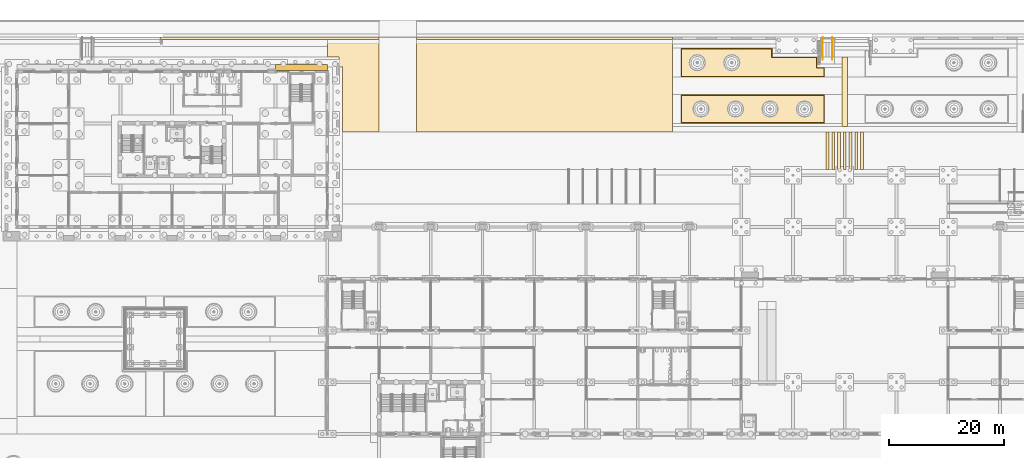
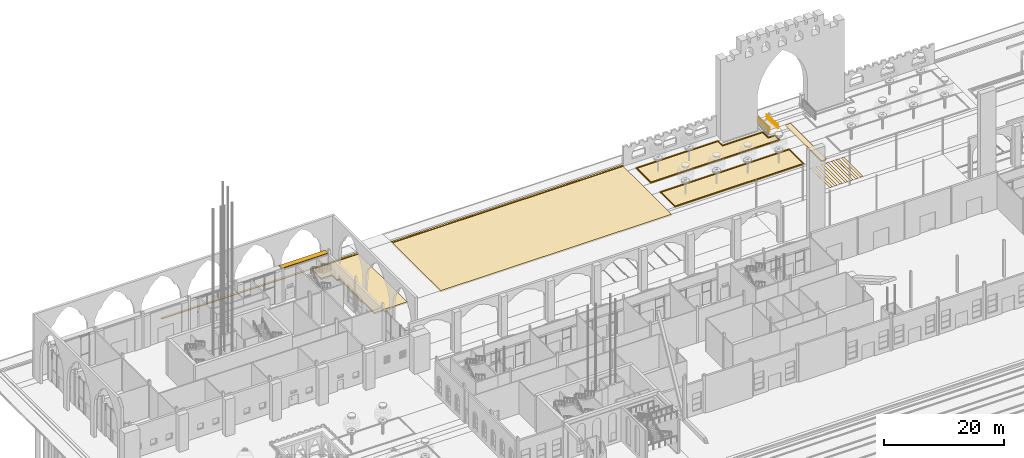
# One storey, part 222 of 250: 17 coverings, 2 railings, 1 shading device.
"""IFC4 building model written with IfcOpenShell, lengths in metres."""

import ifcopenshell
import ifcopenshell.guid

model = None  # the IFC model being written
_history = None  # IfcOwnerHistory: only IFC2X3 demands one
_inside = {}  # id of a spatial element -> (the spatial element, [elements in it])
_under = {}  # id of a project, library or spatial element -> (it, [spatial elements below it])
_declared = {}  # id of a project -> (the project, [libraries it declares])
_typed = {}  # id of a type object -> (the type object, [elements of that type])
_made_of = {}  # id of a material, layer set ... -> (it, [elements and type objects made of it])


def new_model(schema):
    """Start an empty IFC model of exactly this schema.

    Asked for "IFC4X3", IfcOpenShell would pick the latest addendum, in which some entities
    have other attributes; the version numbers below select the first issue.
    IFC2X3 requires an IfcOwnerHistory on every rooted entity: one is made here for all.
    """
    global model, _history
    if schema == "IFC4X3":
        model = ifcopenshell.file(schema_version=(4, 3, 0, 0))
    else:
        model = ifcopenshell.file(schema=schema)
    _inside.clear()
    _under.clear()
    _declared.clear()
    _typed.clear()
    _made_of.clear()
    _history = None
    if model.schema == "IFC2X3":
        org = make("IfcOrganization", Name="unknown")
        user = make(
            "IfcPersonAndOrganization",
            ThePerson=make("IfcPerson", FamilyName="unknown"),
            TheOrganization=org,
        )
        app = make(
            "IfcApplication",
            ApplicationDeveloper=org,
            Version="unknown",
            ApplicationFullName="unknown",
            ApplicationIdentifier="unknown",
        )
        _history = make(
            "IfcOwnerHistory",
            OwningUser=user,
            OwningApplication=app,
            ChangeAction="ADDED",
            CreationDate=0,
        )
    return model


def make(cls, **values):
    """One entity of the class cls with the attributes given. An attribute that is None is left unset."""
    return model.create_entity(
        cls, **{name: value for name, value in values.items() if value is not None}
    )


def rooted(cls, **values):
    """An entity with a GlobalId (a new one), such as an element, a storey or a relation."""
    return make(cls, GlobalId=ifcopenshell.guid.new(), OwnerHistory=_history, **values)


def si_unit(unit_type, name, prefix=None):
    """IfcSIUnit, for example si_unit("LENGTHUNIT", "METRE", prefix="MILLI")."""
    return make("IfcSIUnit", UnitType=unit_type, Prefix=prefix, Name=name)


def assignment(units):
    """IfcUnitAssignment: the units of a project."""
    return None if units is None else make("IfcUnitAssignment", Units=units)


def point(xyz):
    """IfcCartesianPoint."""
    return None if xyz is None else make("IfcCartesianPoint", Coordinates=xyz)


def direction(xyz):
    """IfcDirection."""
    return None if xyz is None else make("IfcDirection", DirectionRatios=xyz)


def frame(location, z_axis=None, x_axis=None):
    """IfcAxis2Placement3D, a coordinate frame: its origin and axes. An axis left out is left unset."""
    return make(
        "IfcAxis2Placement3D",
        Location=point(location),
        Axis=direction(z_axis),
        RefDirection=direction(x_axis),
    )


def frame_2d(location, x_axis=None):
    """IfcAxis2Placement2D, a coordinate frame in the plane: its origin and x axis."""
    return make(
        "IfcAxis2Placement2D", Location=point(location), RefDirection=direction(x_axis)
    )


def origin():
    """The frame at (0, 0, 0) with its axes left unset."""
    return frame((0.0, 0.0, 0.0))


def origin_2d():
    """The frame at (0, 0) in the plane with its x axis left unset."""
    return frame_2d((0.0, 0.0))


def place(relative_to, where):
    """IfcLocalPlacement: puts the frame where relative to a parent placement (None: the world)."""
    return make(
        "IfcLocalPlacement", PlacementRelTo=relative_to, RelativePlacement=where
    )


def context(
    kind, dimensions, precision=None, world=None, true_north=None, identifier=None
):
    """IfcGeometricRepresentationContext, for example the 3D "Model" context."""
    return make(
        "IfcGeometricRepresentationContext",
        ContextIdentifier=identifier,
        ContextType=kind,
        CoordinateSpaceDimension=dimensions,
        Precision=precision,
        WorldCoordinateSystem=world,
        TrueNorth=true_north,
    )


def subcontext(parent, identifier, kind, view, scale=None):
    """IfcGeometricRepresentationSubContext, for example "Body" below "Model"."""
    return make(
        "IfcGeometricRepresentationSubContext",
        ContextIdentifier=identifier,
        ContextType=kind,
        ParentContext=parent,
        TargetScale=scale,
        TargetView=view,
    )


def project(units=None, contexts=None):
    """IfcProject with its units and contexts."""
    return rooted(
        "IfcProject",
        Name="project",
        RepresentationContexts=contexts,
        UnitsInContext=assignment(units),
    )


def spatial(cls, under=None, at=None, **own):
    """A site, building, storey or space (cls), placed at a placement, below another one or the project."""
    s = rooted(cls, ObjectPlacement=at, **own)
    if under is not None:
        _under.setdefault(under.id(), (under, []))[1].append(s)
    return s


def polyline(points):
    """IfcPolyline through the points."""
    return make("IfcPolyline", Points=[point(p) for p in points])


def profile(cls, at=None, kind="AREA", **sizes):
    """A parametric profile (cls). Its sizes go by their IFC names, for example OverallWidth=200.0."""
    return make(cls, ProfileType=kind, Position=at, **sizes)


def rectangle(**sizes):
    """IfcRectangleProfileDef."""
    return profile("IfcRectangleProfileDef", **sizes)


def circle(**sizes):
    """IfcCircleProfileDef."""
    return profile("IfcCircleProfileDef", **sizes)


def outline(outer, holes=None, kind="AREA"):
    """IfcArbitraryClosedProfileDef: a profile drawn as a closed curve; with holes, ...WithVoids."""
    if holes is None:
        return make("IfcArbitraryClosedProfileDef", ProfileType=kind, OuterCurve=outer)
    return make(
        "IfcArbitraryProfileDefWithVoids",
        ProfileType=kind,
        OuterCurve=outer,
        InnerCurves=holes,
    )


def extrude(swept, where, along, depth):
    """IfcExtrudedAreaSolid: the profile swept, set in the frame where, extruded along a direction by depth."""
    return make(
        "IfcExtrudedAreaSolid",
        SweptArea=swept,
        Position=where,
        ExtrudedDirection=direction(along),
        Depth=depth,
    )


def shape(context_of_items, identifier, shape_type, items):
    """IfcShapeRepresentation: the items that make up one representation, for example the "Body"."""
    return make(
        "IfcShapeRepresentation",
        ContextOfItems=context_of_items,
        RepresentationIdentifier=identifier,
        RepresentationType=shape_type,
        Items=items,
    )


def material(Name=None, Category=None):
    """IfcMaterial."""
    return make("IfcMaterial", Name=Name, Category=Category)


def layer(
    of_material, thickness, ventilated=None, Name=None, Category=None, Priority=None
):
    """IfcMaterialLayer: one layer of a wall or slab, of a material (None: an air gap)."""
    return make(
        "IfcMaterialLayer",
        Material=of_material,
        LayerThickness=thickness,
        IsVentilated=ventilated,
        Name=Name,
        Category=Category,
        Priority=Priority,
    )


def layer_set(layers, Name=None):
    """IfcMaterialLayerSet."""
    return make("IfcMaterialLayerSet", MaterialLayers=layers, LayerSetName=Name)


def made_of(thing, what):
    """Note that an element or type object is made of a material, layer set ...; save() writes the relation."""
    if what is not None:
        _made_of.setdefault(what.id(), (what, []))[1].append(thing)
    return thing


def type_object(cls, material=None, **own):
    """A type object (cls), such as IfcWallType, which elements share."""
    return made_of(rooted(cls, **own), material)


def element(
    cls,
    number,
    at=None,
    inside=None,
    cuts=None,
    type_object=None,
    material=None,
    context=None,
    identifier="Body",
    shape_type=None,
    held_by="IfcProductDefinitionShape",
    body=None,
    shapes=None,
    **own,
):
    """One element of the class cls, such as IfcWall. Its Tag is "e" and its number.

    at: its placement. inside: the storey or other place that contains it. cuts: it is an
    opening in that element (IfcRelVoidsElement). A single representation is given by context,
    identifier, shape_type and body (its items); several are given by shapes. held_by: the class
    of the entity that holds the representations. save() writes the other relations.
    """
    e = rooted(cls, Tag="e%d" % number, ObjectPlacement=at, **own)
    if body is not None:
        shapes = [shape(context, identifier, shape_type, body)]
    if shapes is not None:
        e.Representation = make(held_by, Representations=shapes)
    if inside is not None:
        _inside.setdefault(inside.id(), (inside, []))[1].append(e)
    if cuts is not None:
        rooted(
            "IfcRelVoidsElement", RelatingBuildingElement=cuts, RelatedOpeningElement=e
        )
    if type_object is not None:
        _typed.setdefault(type_object.id(), (type_object, []))[1].append(e)
    return made_of(e, material)


def aggregate(whole, parts):
    """IfcRelAggregates: a whole, such as a stair, and the parts it consists of."""
    return rooted("IfcRelAggregates", RelatingObject=whole, RelatedObjects=parts)


def save(model, path):
    """Write the relations noted so far, then the file.

    IfcRelAggregates (storeys below a building ...), IfcRelContainedInSpatialStructure (elements
    in a storey), IfcRelDefinesByType, IfcRelAssociatesMaterial and IfcRelDeclares: one each for
    every whole, place, type object, material and project.
    """
    for whole, parts in _under.values():
        aggregate(whole, parts)
    for where, things in _inside.values():
        rooted(
            "IfcRelContainedInSpatialStructure",
            RelatedElements=things,
            RelatingStructure=where,
        )
    for kind, things in _typed.values():
        rooted("IfcRelDefinesByType", RelatedObjects=things, RelatingType=kind)
    for what, things in _made_of.values():
        rooted("IfcRelAssociatesMaterial", RelatedObjects=things, RelatingMaterial=what)
    for by, libraries in _declared.values():
        rooted("IfcRelDeclares", RelatingContext=by, RelatedDefinitions=libraries)
    model.write(path)


model = new_model("IFC4")

# Units and contexts
model_context = context("Model", 3, precision=1e-05, world=origin(), true_north=direction((0.0, 1.0)))
body_context = subcontext(model_context, "Body", "Model", "MODEL_VIEW")
ifc_project = project(units=[si_unit("LENGTHUNIT", "METRE"), si_unit("AREAUNIT", "SQUARE_METRE"), si_unit("VOLUMEUNIT", "CUBIC_METRE"), si_unit("PLANEANGLEUNIT", "RADIAN"), si_unit("MASSUNIT", "GRAM", prefix="KILO")], contexts=[model_context])

# Site, building, storey
site_placement = place(None, origin())
site = spatial("IfcSite", under=ifc_project, at=site_placement, CompositionType="ELEMENT")
building_placement = place(site_placement, origin())
building = spatial("IfcBuilding", under=site, at=building_placement, Name="Baradari Gate Terminus", CompositionType="ELEMENT")
storey_placement = place(building_placement, origin())
storey = spatial("IfcBuildingStorey", under=building, at=storey_placement, Name="L00", CompositionType="ELEMENT", Elevation=0.0)

# Shading device
ifc_material_1 = material(Name="Concrete C40/50 precast", Category="concrete")
ifc_layer_1 = layer(ifc_material_1, 0.14990234375)
ifc_layer_set_1 = layer_set([ifc_layer_1], Name="Concrete C40/50 precast")
shading_device_type = type_object("IfcShadingDeviceType", Name="Chhajja eave CJ-2 1000x150", PredefinedType="AWNING", material=ifc_layer_set_1)
shading_device_placement = place(storey_placement, frame((58.5, 144.72509765625, 6.459716796875), z_axis=(0.0, 0.0, 1.0), x_axis=(1.0, 0.0, 0.0)))
element("IfcShadingDevice", 1, at=shading_device_placement, inside=storey, type_object=shading_device_type, Name="Operations block base chhajja cornice bay 6", PredefinedType="AWNING", context=body_context, shape_type="SweptSolid", body=[
    extrude(rectangle(XDim=9.0, YDim=1.0, at=origin_2d()), origin(), (0.0, 0.0, 1.0), 0.14990234375),
])

# Coverings
ifc_material_2 = material(Name="Concrete kerb", Category="concrete")
ifc_layer_2 = layer(ifc_material_2, 0.14990234375)
ifc_layer_set_2 = layer_set([ifc_layer_2], Name="Concrete kerb")
covering_type_1 = type_object("IfcCoveringType", Name="Concrete kerb CK-1 150", PredefinedType="USERDEFINED", material=ifc_layer_set_2)
covering_1_placement = place(storey_placement, origin())
element("IfcCovering", 2, at=covering_1_placement, inside=storey, type_object=covering_type_1, Name="Kerb of charbagh bed 1", ObjectType="KERB", PredefinedType="USERDEFINED", context=body_context, shape_type="SweptSolid", body=[
    extrude(outline(polyline([(124.5, 140.050048828125), (124.5, 135.0), (149.5, 135.0), (149.5, 140.050048828125), (124.5, 140.050048828125)]), holes=[polyline([(149.35009765625, 135.14990234375), (124.64990234375, 135.14990234375), (124.64990234375, 139.89990234375), (149.35009765625, 139.89990234375), (149.35009765625, 135.14990234375)])]), origin(), (0.0, 0.0, 1.0), 0.14990234375),
])
covering_2_placement = place(storey_placement, origin())
element("IfcCovering", 3, at=covering_2_placement, inside=storey, type_object=covering_type_1, Name="Kerb of charbagh bed 2", ObjectType="KERB", PredefinedType="USERDEFINED", context=body_context, shape_type="SweptSolid", body=[
    extrude(outline(polyline([(124.5, 143.050048828125), (149.5, 143.050048828125), (149.5, 144.780029296875), (148.199951171875, 144.780029296875), (148.199951171875, 146.60009765625), (140.39990234375, 146.60009765625), (140.39990234375, 148.10009765625), (124.5, 148.10009765625), (124.5, 143.050048828125)]), holes=[polyline([(149.35009765625, 144.6298828125), (149.35009765625, 143.199951171875), (124.64990234375, 143.199951171875), (124.64990234375, 147.949951171875), (140.25, 147.949951171875), (140.25, 146.449951171875), (148.050048828125, 146.449951171875), (148.050048828125, 144.6298828125), (149.35009765625, 144.6298828125)])]), origin(), (0.0, 0.0, 1.0), 0.14990234375),
])
ifc_material_3 = material(Name="Road marking paint, white")
ifc_layer_3 = layer(ifc_material_3, 0.0048828125)
ifc_layer_set_3 = layer_set([ifc_layer_3], Name="Road marking paint, white")
covering_type_2 = type_object("IfcCoveringType", Name="Crossing stripe RM-2 5", PredefinedType="USERDEFINED", material=ifc_layer_set_3)
covering_3_placement = place(storey_placement, origin())
element("IfcCovering", 4, at=covering_3_placement, inside=storey, type_object=covering_type_2, Name="Crossing stripe 1", ObjectType="ROAD MARKING", PredefinedType="USERDEFINED", context=body_context, shape_type="SweptSolid", body=[
    extrude(outline(polyline([(150.25, 127.0), (150.25, 133.5), (149.75, 133.5), (149.75, 127.0), (150.25, 127.0)])), origin(), (0.0, 0.0, 1.0), 0.0048828125),
])
covering_4_placement = place(storey_placement, origin())
element("IfcCovering", 5, at=covering_4_placement, inside=storey, type_object=covering_type_2, Name="Crossing stripe 2", ObjectType="ROAD MARKING", PredefinedType="USERDEFINED", context=body_context, shape_type="SweptSolid", body=[
    extrude(outline(polyline([(151.25, 127.0), (151.25, 133.5), (150.75, 133.5), (150.75, 127.0), (151.25, 127.0)])), origin(), (0.0, 0.0, 1.0), 0.0048828125),
])
covering_5_placement = place(storey_placement, origin())
element("IfcCovering", 6, at=covering_5_placement, inside=storey, type_object=covering_type_2, Name="Crossing stripe 3", ObjectType="ROAD MARKING", PredefinedType="USERDEFINED", context=body_context, shape_type="SweptSolid", body=[
    extrude(outline(polyline([(152.25, 127.0), (152.25, 133.5), (151.75, 133.5), (151.75, 127.0), (152.25, 127.0)])), origin(), (0.0, 0.0, 1.0), 0.0048828125),
])
covering_6_placement = place(storey_placement, origin())
element("IfcCovering", 7, at=covering_6_placement, inside=storey, type_object=covering_type_2, Name="Crossing stripe 4", ObjectType="ROAD MARKING", PredefinedType="USERDEFINED", context=body_context, shape_type="SweptSolid", body=[
    extrude(outline(polyline([(153.25, 127.0), (153.25, 133.5), (152.75, 133.5), (152.75, 127.0), (153.25, 127.0)])), origin(), (0.0, 0.0, 1.0), 0.0048828125),
])
covering_7_placement = place(storey_placement, origin())
element("IfcCovering", 8, at=covering_7_placement, inside=storey, type_object=covering_type_2, Name="Crossing stripe 5", ObjectType="ROAD MARKING", PredefinedType="USERDEFINED", context=body_context, shape_type="SweptSolid", body=[
    extrude(outline(polyline([(154.25, 127.0), (154.25, 133.5), (153.75, 133.5), (153.75, 127.0), (154.25, 127.0)])), origin(), (0.0, 0.0, 1.0), 0.0048828125),
])
covering_8_placement = place(storey_placement, origin())
element("IfcCovering", 9, at=covering_8_placement, inside=storey, type_object=covering_type_2, Name="Crossing stripe 6", ObjectType="ROAD MARKING", PredefinedType="USERDEFINED", context=body_context, shape_type="SweptSolid", body=[
    extrude(outline(polyline([(155.25, 127.0), (155.25, 133.5), (154.75, 133.5), (154.75, 127.0), (155.25, 127.0)])), origin(), (0.0, 0.0, 1.0), 0.0048828125),
])
covering_9_placement = place(storey_placement, origin())
element("IfcCovering", 10, at=covering_9_placement, inside=storey, type_object=covering_type_2, Name="Crossing stripe 7", ObjectType="ROAD MARKING", PredefinedType="USERDEFINED", context=body_context, shape_type="SweptSolid", body=[
    extrude(outline(polyline([(156.25, 127.0), (156.25, 133.5), (155.75, 133.5), (155.75, 127.0), (156.25, 127.0)])), origin(), (0.0, 0.0, 1.0), 0.0048828125),
])

# Railings
ifc_material_4 = material(Name="Stainless steel 1.4301", Category="steel")
railing_type = type_object("IfcRailingType", Name="Handrail HR-1 900", PredefinedType="HANDRAIL", material=ifc_material_4)
for number, where, name in (
    (11, (149.159912109375, 149.949951171875, -0.260009765625), "Handrail of Garden gate ramp 1"),
    (12, (150.840087890625, 149.949951171875, -0.260009765625), "Handrail of Garden gate ramp 2"),
):
    element("IfcRailing", number, at=place(storey_placement, frame(where)), inside=storey, type_object=railing_type, Name=name, PredefinedType="HANDRAIL", context=body_context, shape_type="SweptSolid", body=[
        extrude(circle(Radius=0.02392578125, at=origin_2d()), frame((0.0, 0.0, 0.8759765625), z_axis=(0.0, -1.0, 0.0), x_axis=(1.0, 0.0, 0.0)), (0.0, 0.0, 1.0), 0.25),
        extrude(circle(Radius=0.02392578125, at=origin_2d()), frame((0.0, -0.25, 0.8759765625), z_axis=(0.0, -0.99654522041, 0.083051933621), x_axis=(1.0, 0.0, 0.0)), (0.0, 0.0, 1.0), 3.130615234375),
        extrude(circle(Radius=0.02392578125, at=origin_2d()), frame((0.0, -3.369873046875, 1.1357421875), z_axis=(0.0, -1.0, 0.0), x_axis=(1.0, 0.0, 0.0)), (0.0, 0.0, 1.0), 0.4501953125),
        extrude(circle(Radius=0.02099609375, at=origin_2d()), origin(), (0.0, 0.0, 1.0), 0.851806640625),
        extrude(circle(Radius=0.02099609375, at=origin_2d()), frame((0.0, -0.25, 0.0)), (0.0, 0.0, 1.0), 0.851806640625),
        extrude(circle(Radius=0.02099609375, at=origin_2d()), frame((0.0, -1.030029296875, 0.06494140625)), (0.0, 0.0, 1.0), 0.851806640625),
        extrude(circle(Radius=0.02099609375, at=origin_2d()), frame((0.0, -1.81005859375, 0.1298828125)), (0.0, 0.0, 1.0), 0.851806640625),
        extrude(circle(Radius=0.02099609375, at=origin_2d()), frame((0.0, -2.58984375, 0.195068359375)), (0.0, 0.0, 1.0), 0.851806640625),
        extrude(circle(Radius=0.02099609375, at=origin_2d()), frame((0.0, -3.369873046875, 0.260009765625)), (0.0, 0.0, 1.0), 0.851806640625),
        extrude(circle(Radius=0.02099609375, at=origin_2d()), frame((0.0, -3.820068359375, 0.260009765625)), (0.0, 0.0, 1.0), 0.851806640625),
    ])

# Coverings
ifc_material_5 = material(Name="Planted lawn")
ifc_layer_4 = layer(ifc_material_5, 0.300048828125)
ifc_layer_set_4 = layer_set([ifc_layer_4], Name="Planted lawn")
covering_type_3 = type_object("IfcCoveringType", Name="Planted lawn bed LW-1 300", PredefinedType="USERDEFINED", material=ifc_layer_set_4)
covering_10_placement = place(storey_placement, frame((0.0, 0.0, -0.300048828125)))
element("IfcCovering", 13, at=covering_10_placement, inside=storey, type_object=covering_type_3, Name="Charbagh lawn bed 1", ObjectType="LAWN", PredefinedType="USERDEFINED", context=body_context, shape_type="SweptSolid", body=[
    extrude(outline(polyline([(124.64990234375, 135.14990234375), (149.35009765625, 135.14990234375), (149.35009765625, 139.89990234375), (124.64990234375, 139.89990234375), (124.64990234375, 135.14990234375)])), origin(), (0.0, 0.0, 1.0), 0.300048828125),
])
covering_11_placement = place(storey_placement, frame((0.0, 0.0, -0.300048828125)))
element("IfcCovering", 14, at=covering_11_placement, inside=storey, type_object=covering_type_3, Name="Charbagh lawn bed 2", ObjectType="LAWN", PredefinedType="USERDEFINED", context=body_context, shape_type="SweptSolid", body=[
    extrude(outline(polyline([(149.35009765625, 143.199951171875), (149.35009765625, 144.6298828125), (148.050048828125, 144.6298828125), (148.050048828125, 146.449951171875), (140.25, 146.449951171875), (140.25, 147.949951171875), (124.64990234375, 147.949951171875), (124.64990234375, 143.199951171875), (149.35009765625, 143.199951171875)])), origin(), (0.0, 0.0, 1.0), 0.300048828125),
])
covering_12_placement = place(storey_placement, frame((0.0, 0.0, -0.300048828125)))
element("IfcCovering", 15, at=covering_12_placement, inside=storey, type_object=covering_type_3, Name="Planted lawn 17", ObjectType="LAWN", PredefinedType="USERDEFINED", context=body_context, shape_type="SweptSolid", body=[
    extrude(outline(polyline([(72.0, 149.60009765625), (63.0, 149.60009765625), (63.0, 146.580078125), (65.02490234375, 146.580078125), (65.02783203125, 146.579833984375), (65.03076171875, 146.579345703125), (65.03369140625, 146.57861328125), (65.036376953125, 146.57763671875), (65.0390625, 146.576416015625), (65.041748046875, 146.574951171875), (65.0439453125, 146.5732421875), (65.046142578125, 146.5712890625), (65.048095703125, 146.569091796875), (65.050048828125, 146.566650390625), (65.051513671875, 146.564208984375), (65.052734375, 146.5615234375), (65.0537109375, 146.55859375), (65.054443359375, 146.555908203125), (65.054931640625, 146.552978515625), (65.054931640625, 146.550048828125), (65.054931640625, 145.925048828125), (65.054931640625, 145.47509765625), (65.054931640625, 144.8798828125), (65.64990234375, 144.8798828125), (65.65283203125, 144.8798828125), (65.65576171875, 144.87939453125), (65.65869140625, 144.878662109375), (65.661376953125, 144.877685546875), (65.6640625, 144.87646484375), (65.666748046875, 144.875), (65.6689453125, 144.873291015625), (65.671142578125, 144.87109375), (65.673095703125, 144.869140625), (65.675048828125, 144.86669921875), (65.676513671875, 144.8642578125), (65.677734375, 144.861572265625), (65.6787109375, 144.858642578125), (65.679443359375, 144.85595703125), (65.679931640625, 144.85302734375), (65.679931640625, 144.85009765625), (65.679931640625, 133.5), (72.0, 133.5), (72.0, 149.60009765625)])), origin(), (0.0, 0.0, 1.0), 0.300048828125),
])
covering_13_placement = place(storey_placement, frame((0.0, 0.0, -0.300048828125)))
element("IfcCovering", 16, at=covering_13_placement, inside=storey, type_object=covering_type_3, Name="Planted lawn 19", ObjectType="LAWN", PredefinedType="USERDEFINED", context=body_context, shape_type="SweptSolid", body=[
    extrude(outline(polyline([(123.0, 149.60009765625), (78.5, 149.60009765625), (78.5, 133.5), (123.0, 133.5), (123.0, 149.60009765625)])), origin(), (0.0, 0.0, 1.0), 0.300048828125),
])
ifc_material_6 = material(Name="Sandstone paving", Category="masonry")
ifc_layer_5 = layer(ifc_material_6, 0.10009765625)
ifc_layer_set_5 = layer_set([ifc_layer_5], Name="Sandstone paving")
covering_type_4 = type_object("IfcCoveringType", Name="Rill lining RL-1 100", PredefinedType="USERDEFINED", material=ifc_layer_set_5)
covering_14_placement = place(storey_placement, frame((0.0, 0.0, -0.300048828125)))
element("IfcCovering", 17, at=covering_14_placement, inside=storey, type_object=covering_type_4, Name="Rill lining", ObjectType="LINING", PredefinedType="USERDEFINED", context=body_context, shape_type="SweptSolid", body=[
    extrude(outline(polyline([(153.5, 134.5), (153.5, 146.60009765625), (152.5, 146.60009765625), (152.5, 134.5), (153.5, 134.5)])), origin(), (0.0, 0.0, 1.0), 0.10009765625),
])
ifc_material_7 = material(Name="Water")
ifc_layer_6 = layer(ifc_material_7, 0.139892578125)
ifc_layer_set_6 = layer_set([ifc_layer_6], Name="Water")
covering_type_5 = type_object("IfcCoveringType", Name="Rill water surface WT-1 140", PredefinedType="USERDEFINED", material=ifc_layer_set_6)
covering_15_placement = place(storey_placement, frame((0.0, 0.0, -0.199951171875)))
element("IfcCovering", 18, at=covering_15_placement, inside=storey, type_object=covering_type_5, Name="Rill water", ObjectType="WATER", PredefinedType="USERDEFINED", context=body_context, shape_type="SweptSolid", body=[
    extrude(outline(polyline([(153.5, 134.5), (153.5, 146.60009765625), (152.5, 146.60009765625), (152.5, 134.5), (153.5, 134.5)])), origin(), (0.0, 0.0, 1.0), 0.139892578125),
])
ifc_material_8 = material(Name="Sandstone", Category="masonry")
ifc_layer_7 = layer(ifc_material_8, 0.080078125)
ifc_layer_set_7 = layer_set([ifc_layer_7], Name="Sandstone")
covering_type_6 = type_object("IfcCoveringType", Name="Stone coping CG-1 80", PredefinedType="CLADDING", material=ifc_layer_set_7)
covering_16_placement = place(storey_placement, origin())
element("IfcCovering", 19, at=covering_16_placement, inside=storey, type_object=covering_type_6, Name="Stone coping N2", PredefinedType="CLADDING", context=body_context, shape_type="SweptSolid", body=[
    extrude(outline(polyline([(72.0, 149.60009765625), (72.0, 150.0), (34.0, 150.0), (34.0, 149.60009765625), (72.0, 149.60009765625)])), origin(), (0.0, 0.0, 1.0), 0.080078125),
])
covering_17_placement = place(storey_placement, origin())
element("IfcCovering", 20, at=covering_17_placement, inside=storey, type_object=covering_type_6, Name="Stone coping N3a", PredefinedType="CLADDING", context=body_context, shape_type="SweptSolid", body=[
    extrude(outline(polyline([(123.0, 149.60009765625), (123.0, 150.0), (78.5, 150.0), (78.5, 149.60009765625), (123.0, 149.60009765625)])), origin(), (0.0, 0.0, 1.0), 0.080078125),
])

save(model, "model.ifc")
